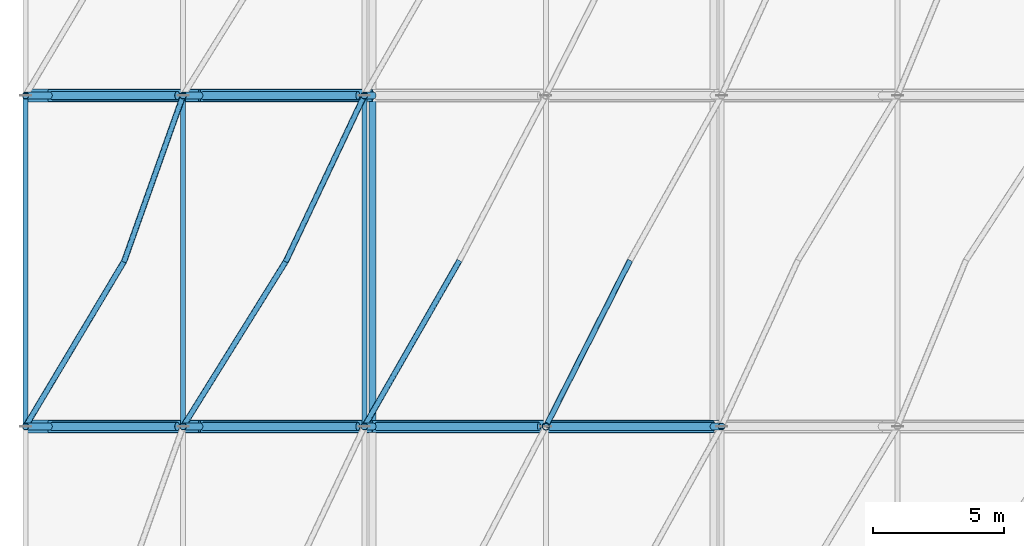
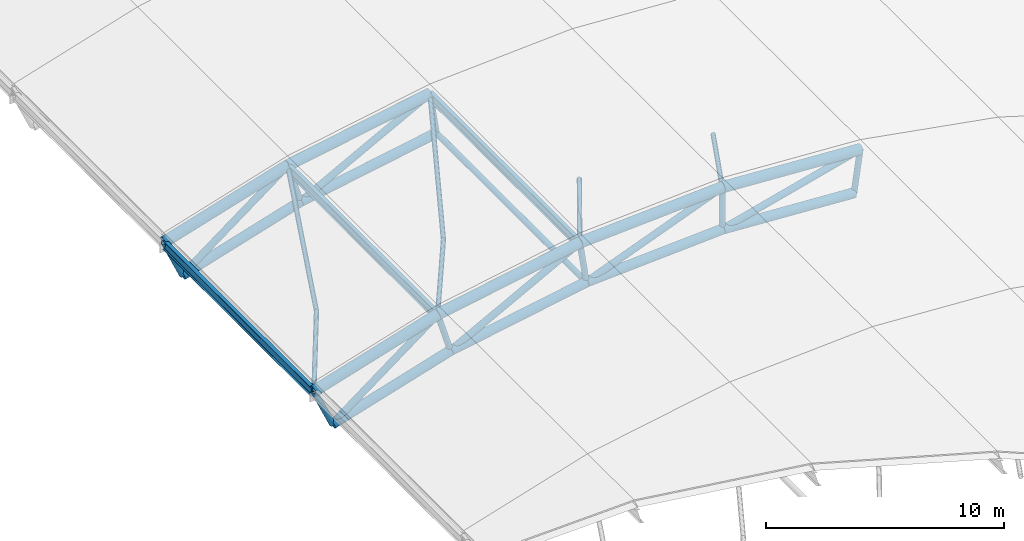
# One storey, part 7 of 18: 36 members.
"""IFC4 building model written with IfcOpenShell, lengths in metres."""

from ifc_helpers import new_model, si_unit, derived_unit, direction, frame, origin, origin_2d, place, context, subcontext, project, spatial, hollow_circle, i_section, extrude, material, material_profile, profile_set, type_object, element, save


model = new_model("IFC4")

# Units and contexts
model_context = context("Model", 3, precision=1e-05, world=origin(), true_north=direction((0.0, 1.0)))
body_context = subcontext(model_context, "Body", "Model", "MODEL_VIEW")
ifc_project = project(units=[si_unit("LENGTHUNIT", "METRE"), si_unit("AREAUNIT", "SQUARE_METRE"), si_unit("VOLUMEUNIT", "CUBIC_METRE"), si_unit("PLANEANGLEUNIT", "RADIAN"), si_unit("MASSUNIT", "GRAM", prefix="KILO"), derived_unit("THERMALTRANSMITTANCEUNIT", [(si_unit("MASSUNIT", "GRAM", prefix="KILO"), 1), (si_unit("TIMEUNIT", "SECOND"), -3), (si_unit("THERMODYNAMICTEMPERATUREUNIT", "KELVIN"), -1)])], contexts=[model_context])

# Site, building, storey
site_placement = place(None, origin())
site = spatial("IfcSite", under=ifc_project, at=site_placement, CompositionType="ELEMENT")
building_placement = place(site_placement, origin())
building = spatial("IfcBuilding", under=site, at=building_placement, Name="Valcora Ridge Arena", CompositionType="ELEMENT")
storey_placement = place(building_placement, frame((0.0, 0.0, 39.800048828125)))
storey = spatial("IfcBuildingStorey", under=building, at=storey_placement, Name="RF", CompositionType="ELEMENT", Elevation=39.800048828125)

# Members
ifc_material_1 = material(Name="Steel ASTM A572 Grade 50", Category="steel")
ifc_material_profile_1 = material_profile(ifc_material_1, i_section(OverallWidth=0.18994140625, OverallDepth=0.45703125, WebThickness=0.009033203125, FlangeThickness=0.014404296875, FilletRadius=0.014892578125, at=origin_2d()), Name="W18X50")
ifc_profile_set_1 = profile_set([ifc_material_profile_1], Name="Steel ASTM A572 Grade 50")
member_type_1 = type_object("IfcMemberType", Name="TY-MEMBER-PUR-W18X50", PredefinedType="PURLIN", material=ifc_profile_set_1)
for number, where, z_axis, x_axis, name in (
    (1, (36.0, 70.449951171875, -2.4501953125), (0.0, 1.0, 0.0), (-1.0, 0.0, 0.0), "PUR-W18X50 SF-PR-PUR-W18X50-0051"),
    (2, (42.0, 70.449951171875, -0.606689453125), (0.0, 1.0, 0.0), (-1.0, 0.0, 0.0), "PUR-W18X50 SF-PR-PUR-W18X50-0052"),
    (3, (48.89990234375, 70.449951171875, 0.662841796875), (0.0, 1.0, 0.0), (-1.0, 0.0, 0.0), "PUR-W18X50 SF-PR-PUR-W18X50-0053"),
):
    element("IfcMember", number, at=place(storey_placement, frame(where, z_axis=z_axis, x_axis=x_axis)), inside=storey, type_object=member_type_1, Name=name, PredefinedType="PURLIN", context=body_context, shape_type="SweptSolid", body=[
        extrude(i_section(OverallWidth=0.18994140625, OverallDepth=0.45703125, WebThickness=0.009033203125, FlangeThickness=0.014404296875, FilletRadius=0.014892578125, at=origin_2d()), origin(), (0.0, 0.0, 1.0), 12.5),
    ])
ifc_material_2 = material(Name="Steel ASTM A500 Grade C", Category="steel")
ifc_material_profile_2 = material_profile(ifc_material_2, hollow_circle(Radius=0.228515625, WallThickness=0.01611328125, at=origin_2d()), Name="CHS457X16")
ifc_profile_set_2 = profile_set([ifc_material_profile_2], Name="Steel ASTM A500 Grade C")
member_type_2 = type_object("IfcMemberType", Name="TY-MEMBER-SFBC-457", PredefinedType="CHORD", material=ifc_profile_set_2)
member_1_placement = place(storey_placement, frame((36.895751953125, 70.39990234375, -4.36083984375), z_axis=(0.956190411575, 0.0, 0.292745447124), x_axis=(0.0, 1.0, 0.0)))
element("IfcMember", 4, at=member_1_placement, inside=storey, type_object=member_type_2, Name="SFBC-457 Space Frame Bottom Chord", PredefinedType="CHORD", context=body_context, shape_type="SweptSolid", body=[
    extrude(hollow_circle(Radius=0.228515625, WallThickness=0.01611328125, at=origin_2d()), origin(), (0.0, 0.0, 1.0), 5.9912109375),
])
member_2_placement = place(storey_placement, frame((42.62451171875, 70.39990234375, -2.60693359375), z_axis=(0.983574646762, 0.0, 0.180501840008), x_axis=(0.0, 1.0, 0.0)))
element("IfcMember", 5, at=member_2_placement, inside=storey, type_object=member_type_2, Name="SFBC-457 Space Frame Bottom Chord", PredefinedType="CHORD", context=body_context, shape_type="SweptSolid", body=[
    extrude(hollow_circle(Radius=0.228515625, WallThickness=0.01611328125, at=origin_2d()), origin(), (0.0, 0.0, 1.0), 6.697998046875),
])
member_3_placement = place(storey_placement, frame((49.21240234375, 70.39990234375, -1.39794921875), z_axis=(0.998185892949, 0.0, 0.060207334425), x_axis=(0.0, 1.0, 0.0)))
element("IfcMember", 6, at=member_3_placement, inside=storey, type_object=member_type_2, Name="SFBC-457 Space Frame Bottom Chord", PredefinedType="CHORD", context=body_context, shape_type="SweptSolid", body=[
    extrude(hollow_circle(Radius=0.228515625, WallThickness=0.01611328125, at=origin_2d()), origin(), (0.0, 0.0, 1.0), 6.609619140625),
])
member_4_placement = place(storey_placement, frame((55.81005859375, 70.39990234375, -1.0), z_axis=(0.998298890165, 0.0, -0.058303738263), x_axis=(0.0, 1.0, 0.0)))
element("IfcMember", 7, at=member_4_placement, inside=storey, type_object=member_type_2, Name="SFBC-457 Space Frame Bottom Chord", PredefinedType="CHORD", context=body_context, shape_type="SweptSolid", body=[
    extrude(hollow_circle(Radius=0.228515625, WallThickness=0.01611328125, at=origin_2d()), origin(), (0.0, 0.0, 1.0), 6.3984375),
])
member_5_placement = place(storey_placement, frame((36.895751953125, 83.0, -4.36083984375), z_axis=(0.956190411575, 0.0, 0.292745447124), x_axis=(0.0, 1.0, 0.0)))
element("IfcMember", 8, at=member_5_placement, inside=storey, type_object=member_type_2, Name="SFBC-457 Space Frame Bottom Chord", PredefinedType="CHORD", context=body_context, shape_type="SweptSolid", body=[
    extrude(hollow_circle(Radius=0.228515625, WallThickness=0.01611328125, at=origin_2d()), origin(), (0.0, 0.0, 1.0), 5.9912109375),
])
member_6_placement = place(storey_placement, frame((42.62451171875, 83.0, -2.60693359375), z_axis=(0.983574646762, 0.0, 0.180501840008), x_axis=(0.0, 1.0, 0.0)))
element("IfcMember", 9, at=member_6_placement, inside=storey, type_object=member_type_2, Name="SFBC-457 Space Frame Bottom Chord", PredefinedType="CHORD", context=body_context, shape_type="SweptSolid", body=[
    extrude(hollow_circle(Radius=0.228515625, WallThickness=0.01611328125, at=origin_2d()), origin(), (0.0, 0.0, 1.0), 6.697998046875),
])
ifc_material_profile_3 = material_profile(ifc_material_2, hollow_circle(Radius=0.136474609375, WallThickness=0.012451171875, at=origin_2d()), Name="CHS273X12")
ifc_profile_set_3 = profile_set([ifc_material_profile_3], Name="Steel ASTM A500 Grade C")
member_type_3 = type_object("IfcMemberType", Name="TY-MEMBER-SFBT-273", PredefinedType="STRUT", material=ifc_profile_set_3)
member_7_placement = place(storey_placement, frame((49.21240234375, 70.580078125, -1.39794921875), z_axis=(0.0, 1.0, 0.0), x_axis=(-1.0, 0.0, 0.0)))
element("IfcMember", 10, at=member_7_placement, inside=storey, type_object=member_type_3, Name="SFBT-273 Space Frame Bottom Strut", PredefinedType="STRUT", context=body_context, shape_type="SweptSolid", body=[
    extrude(hollow_circle(Radius=0.136474609375, WallThickness=0.012451171875, at=origin_2d()), origin(), (0.0, 0.0, 1.0), 12.239990234375),
])
ifc_material_profile_4 = material_profile(ifc_material_2, hollow_circle(Radius=0.136474609375, WallThickness=0.012451171875, at=origin_2d()), Name="CHS273X12")
ifc_profile_set_4 = profile_set([ifc_material_profile_4], Name="Steel ASTM A500 Grade C")
member_type_4 = type_object("IfcMemberType", Name="TY-MEMBER-SFKP-273", PredefinedType="POST", material=ifc_profile_set_4)
member_8_placement = place(storey_placement, frame((36.895751953125, 70.39990234375, -4.36083984375), z_axis=(-0.41033677555, 0.0, 0.911934060462), x_axis=(0.0, -1.0, 0.0)))
element("IfcMember", 11, at=member_8_placement, inside=storey, type_object=member_type_4, Name="SFKP-273 Space Frame King Post", PredefinedType="POST", context=body_context, shape_type="SweptSolid", body=[
    extrude(hollow_circle(Radius=0.136474609375, WallThickness=0.012451171875, at=origin_2d()), origin(), (0.0, 0.0, 1.0), 2.182861328125),
])
member_9_placement = place(storey_placement, frame((42.62451171875, 70.39990234375, -2.60693359375), z_axis=(-0.28833013045, 0.0, 0.957531062616), x_axis=(0.0, -1.0, 0.0)))
element("IfcMember", 12, at=member_9_placement, inside=storey, type_object=member_type_4, Name="SFKP-273 Space Frame King Post", PredefinedType="POST", context=body_context, shape_type="SweptSolid", body=[
    extrude(hollow_circle(Radius=0.136474609375, WallThickness=0.012451171875, at=origin_2d()), origin(), (0.0, 0.0, 1.0), 2.166015625),
])
member_10_placement = place(storey_placement, frame((49.21240234375, 70.39990234375, -1.39794921875), z_axis=(-0.145069807623, 0.0, 0.989421422305), x_axis=(0.0, -1.0, 0.0)))
element("IfcMember", 13, at=member_10_placement, inside=storey, type_object=member_type_4, Name="SFKP-273 Space Frame King Post", PredefinedType="POST", context=body_context, shape_type="SweptSolid", body=[
    extrude(hollow_circle(Radius=0.136474609375, WallThickness=0.012451171875, at=origin_2d()), origin(), (0.0, 0.0, 1.0), 2.154052734375),
])
member_11_placement = place(storey_placement, frame((55.81005859375, 70.39990234375, -1.0), z_axis=(0.0, 0.0, 1.0), x_axis=(1.0, 0.0, 0.0)))
element("IfcMember", 14, at=member_11_placement, inside=storey, type_object=member_type_4, Name="SFKP-273 Space Frame King Post", PredefinedType="POST", context=body_context, shape_type="SweptSolid", body=[
    extrude(hollow_circle(Radius=0.136474609375, WallThickness=0.012451171875, at=origin_2d()), origin(), (0.0, 0.0, 1.0), 2.14990234375),
])
member_12_placement = place(storey_placement, frame((62.197509765625, 70.39990234375, -1.373046875), z_axis=(0.140453193158, 0.0, 0.99008731965), x_axis=(0.0, 1.0, 0.0)))
element("IfcMember", 15, at=member_12_placement, inside=storey, type_object=member_type_4, Name="SFKP-273 Space Frame King Post", PredefinedType="POST", context=body_context, shape_type="SweptSolid", body=[
    extrude(hollow_circle(Radius=0.136474609375, WallThickness=0.012451171875, at=origin_2d()), origin(), (0.0, 0.0, 1.0), 2.153564453125),
])
member_13_placement = place(storey_placement, frame((36.895751953125, 83.0, -4.36083984375), z_axis=(-0.41033677555, 0.0, 0.911934060462), x_axis=(0.0, -1.0, 0.0)))
element("IfcMember", 16, at=member_13_placement, inside=storey, type_object=member_type_4, Name="SFKP-273 Space Frame King Post", PredefinedType="POST", context=body_context, shape_type="SweptSolid", body=[
    extrude(hollow_circle(Radius=0.136474609375, WallThickness=0.012451171875, at=origin_2d()), origin(), (0.0, 0.0, 1.0), 2.182861328125),
])
member_14_placement = place(storey_placement, frame((42.62451171875, 83.0, -2.60693359375), z_axis=(-0.28833013045, 0.0, 0.957531062616), x_axis=(0.0, -1.0, 0.0)))
element("IfcMember", 17, at=member_14_placement, inside=storey, type_object=member_type_4, Name="SFKP-273 Space Frame King Post", PredefinedType="POST", context=body_context, shape_type="SweptSolid", body=[
    extrude(hollow_circle(Radius=0.136474609375, WallThickness=0.012451171875, at=origin_2d()), origin(), (0.0, 0.0, 1.0), 2.166015625),
])
member_15_placement = place(storey_placement, frame((49.21240234375, 83.0, -1.39794921875), z_axis=(-0.145069807623, 0.0, 0.989421422305), x_axis=(0.0, -1.0, 0.0)))
element("IfcMember", 18, at=member_15_placement, inside=storey, type_object=member_type_4, Name="SFKP-273 Space Frame King Post", PredefinedType="POST", context=body_context, shape_type="SweptSolid", body=[
    extrude(hollow_circle(Radius=0.136474609375, WallThickness=0.012451171875, at=origin_2d()), origin(), (0.0, 0.0, 1.0), 2.154052734375),
])
ifc_material_profile_5 = material_profile(ifc_material_2, hollow_circle(Radius=0.109619140625, WallThickness=0.010009765625, at=origin_2d()), Name="CHS219X10")
ifc_profile_set_5 = profile_set([ifc_material_profile_5], Name="Steel ASTM A500 Grade C")
member_type_5 = type_object("IfcMemberType", Name="TY-MEMBER-SFST-219", PredefinedType="STRUT", material=ifc_profile_set_5)
member_16_placement = place(storey_placement, frame((39.760009765625, 76.699951171875, -3.3984375), z_axis=(-0.507527109704, -0.850382252185, 0.138802946956), x_axis=(0.858694396815, -0.512487983156, 0.0)))
element("IfcMember", 19, at=member_16_placement, inside=storey, type_object=member_type_5, Name="SFST-219 Space Frame Tie Strut", PredefinedType="STRUT", context=body_context, shape_type="SweptSolid", body=[
    extrude(hollow_circle(Radius=0.109619140625, WallThickness=0.010009765625, at=origin_2d()), origin(), (0.0, 0.0, 1.0), 7.408447265625),
])
member_17_placement = place(storey_placement, frame((39.760009765625, 76.699951171875, -3.3984375), z_axis=(0.307921307202, 0.866039164288, 0.39390434688), x_axis=(-0.942215970866, 0.335006065983, 0.0)))
element("IfcMember", 20, at=member_17_placement, inside=storey, type_object=member_type_5, Name="SFST-219 Space Frame Tie Strut", PredefinedType="STRUT", context=body_context, shape_type="SweptSolid", body=[
    extrude(hollow_circle(Radius=0.109619140625, WallThickness=0.010009765625, at=origin_2d()), origin(), (0.0, 0.0, 1.0), 7.274658203125),
])
member_18_placement = place(storey_placement, frame((45.91845703125, 76.699951171875, -1.8984375), z_axis=(-0.519425044578, -0.835125437715, 0.18100587379), x_axis=(0.84915171305, -0.528149001916, 0.0)))
element("IfcMember", 21, at=member_18_placement, inside=storey, type_object=member_type_5, Name="SFST-219 Space Frame Tie Strut", PredefinedType="STRUT", context=body_context, shape_type="SweptSolid", body=[
    extrude(hollow_circle(Radius=0.109619140625, WallThickness=0.010009765625, at=origin_2d()), origin(), (0.0, 0.0, 1.0), 7.5439453125),
])
member_19_placement = place(storey_placement, frame((45.91845703125, 76.699951171875, -1.8984375), z_axis=(0.400180692741, 0.845616015082, 0.353254820484), x_axis=(-0.903892552014, 0.427759575478, 0.0)))
element("IfcMember", 22, at=member_19_placement, inside=storey, type_object=member_type_5, Name="SFST-219 Space Frame Tie Strut", PredefinedType="STRUT", context=body_context, shape_type="SweptSolid", body=[
    extrude(hollow_circle(Radius=0.109619140625, WallThickness=0.010009765625, at=origin_2d()), origin(), (0.0, 0.0, 1.0), 7.4501953125),
])
member_20_placement = place(storey_placement, frame((52.51123046875, 76.699951171875, -1.099365234375), z_axis=(-0.48219098451, -0.841193777399, 0.244713880525), x_axis=(0.867572012448, -0.497311575591, 0.0)))
element("IfcMember", 23, at=member_20_placement, inside=storey, type_object=member_type_5, Name="SFST-219 Space Frame Tie Strut", PredefinedType="STRUT", context=body_context, shape_type="SweptSolid", body=[
    extrude(hollow_circle(Radius=0.109619140625, WallThickness=0.010009765625, at=origin_2d()), origin(), (0.0, 0.0, 1.0), 7.489501953125),
])
member_21_placement = place(storey_placement, frame((59.003662109375, 76.699951171875, -1.093017578125), z_axis=(-0.430937331995, -0.850113741466, 0.302654328341), x_axis=(0.891945642305, -0.452142644719, 0.0)))
element("IfcMember", 24, at=member_21_placement, inside=storey, type_object=member_type_5, Name="SFST-219 Space Frame Tie Strut", PredefinedType="STRUT", context=body_context, shape_type="SweptSolid", body=[
    extrude(hollow_circle(Radius=0.109619140625, WallThickness=0.010009765625, at=origin_2d()), origin(), (0.0, 0.0, 1.0), 7.410888671875),
])
ifc_material_profile_6 = material_profile(ifc_material_2, hollow_circle(Radius=0.25390625, WallThickness=0.01611328125, at=origin_2d()), Name="CHS508X16")
ifc_profile_set_6 = profile_set([ifc_material_profile_6], Name="Steel ASTM A500 Grade C")
member_type_6 = type_object("IfcMemberType", Name="TY-MEMBER-SFTC-508", PredefinedType="CHORD", material=ifc_profile_set_6)
member_22_placement = place(storey_placement, frame((36.0, 70.39990234375, -2.3701171875), z_axis=(0.956181062975, 0.0, 0.292775980586), x_axis=(0.0, 1.0, 0.0)))
element("IfcMember", 25, at=member_22_placement, inside=storey, type_object=member_type_6, Name="SFTC-508 Space Frame Top Chord", PredefinedType="CHORD", context=body_context, shape_type="SweptSolid", body=[
    extrude(hollow_circle(Radius=0.25390625, WallThickness=0.01611328125, at=origin_2d()), origin(), (0.0, 0.0, 1.0), 6.27490234375),
])
member_23_placement = place(storey_placement, frame((42.0, 70.39990234375, -0.532958984375), z_axis=(0.983571765231, 0.0, 0.180517541089), x_axis=(0.0, 1.0, 0.0)))
element("IfcMember", 26, at=member_23_placement, inside=storey, type_object=member_type_6, Name="SFTC-508 Space Frame Top Chord", PredefinedType="CHORD", context=body_context, shape_type="SweptSolid", body=[
    extrude(hollow_circle(Radius=0.25390625, WallThickness=0.01611328125, at=origin_2d()), origin(), (0.0, 0.0, 1.0), 7.01513671875),
])
member_24_placement = place(storey_placement, frame((48.89990234375, 70.39990234375, 0.7333984375), z_axis=(0.998188446948, 0.0, 0.060164976346), x_axis=(0.0, 1.0, 0.0)))
element("IfcMember", 27, at=member_24_placement, inside=storey, type_object=member_type_6, Name="SFTC-508 Space Frame Top Chord", PredefinedType="CHORD", context=body_context, shape_type="SweptSolid", body=[
    extrude(hollow_circle(Radius=0.25390625, WallThickness=0.01611328125, at=origin_2d()), origin(), (0.0, 0.0, 1.0), 6.922607421875),
])
member_25_placement = place(storey_placement, frame((55.81005859375, 70.39990234375, 1.14990234375), z_axis=(0.998299656479, 0.0, -0.058290615662), x_axis=(0.0, 1.0, 0.0)))
element("IfcMember", 28, at=member_25_placement, inside=storey, type_object=member_type_6, Name="SFTC-508 Space Frame Top Chord", PredefinedType="CHORD", context=body_context, shape_type="SweptSolid", body=[
    extrude(hollow_circle(Radius=0.25390625, WallThickness=0.01611328125, at=origin_2d()), origin(), (0.0, 0.0, 1.0), 6.701416015625),
])
member_26_placement = place(storey_placement, frame((36.0, 83.0, -2.3701171875), z_axis=(0.956181062975, 0.0, 0.292775980586), x_axis=(0.0, 1.0, 0.0)))
element("IfcMember", 29, at=member_26_placement, inside=storey, type_object=member_type_6, Name="SFTC-508 Space Frame Top Chord", PredefinedType="CHORD", context=body_context, shape_type="SweptSolid", body=[
    extrude(hollow_circle(Radius=0.25390625, WallThickness=0.01611328125, at=origin_2d()), origin(), (0.0, 0.0, 1.0), 6.27490234375),
])
member_27_placement = place(storey_placement, frame((42.0, 83.0, -0.532958984375), z_axis=(0.983571765231, 0.0, 0.180517541089), x_axis=(0.0, 1.0, 0.0)))
element("IfcMember", 30, at=member_27_placement, inside=storey, type_object=member_type_6, Name="SFTC-508 Space Frame Top Chord", PredefinedType="CHORD", context=body_context, shape_type="SweptSolid", body=[
    extrude(hollow_circle(Radius=0.25390625, WallThickness=0.01611328125, at=origin_2d()), origin(), (0.0, 0.0, 1.0), 7.01513671875),
])
ifc_material_profile_7 = material_profile(ifc_material_2, hollow_circle(Radius=0.161865234375, WallThickness=0.012451171875, at=origin_2d()), Name="CHS323X12")
ifc_profile_set_7 = profile_set([ifc_material_profile_7], Name="Steel ASTM A500 Grade C")
member_type_7 = type_object("IfcMemberType", Name="TY-MEMBER-SFWB-323", PredefinedType="BRACE", material=ifc_profile_set_7)
member_28_placement = place(storey_placement, frame((37.023681640625, 70.39990234375, -4.264892578125), z_axis=(0.800014795818, 0.0, 0.599980271736), x_axis=(0.0, 1.0, 0.0)))
element("IfcMember", 31, at=member_28_placement, inside=storey, type_object=member_type_7, Name="SFWB-323 Space Frame Diagonal Brace", PredefinedType="BRACE", context=body_context, shape_type="SweptSolid", body=[
    extrude(hollow_circle(Radius=0.161865234375, WallThickness=0.012451171875, at=origin_2d()), origin(), (0.0, 0.0, 1.0), 5.940185546875),
])
member_29_placement = place(storey_placement, frame((42.765625, 70.39990234375, -2.53173828125), z_axis=(0.882744799962, 0.0, 0.469852762193), x_axis=(0.0, 1.0, 0.0)))
element("IfcMember", 32, at=member_29_placement, inside=storey, type_object=member_type_7, Name="SFWB-323 Space Frame Diagonal Brace", PredefinedType="BRACE", context=body_context, shape_type="SweptSolid", body=[
    extrude(hollow_circle(Radius=0.161865234375, WallThickness=0.012451171875, at=origin_2d()), origin(), (0.0, 0.0, 1.0), 6.669189453125),
])
member_30_placement = place(storey_placement, frame((49.36181640625, 70.39990234375, -1.34033203125), z_axis=(0.932850436779, 0.0, 0.360263879124), x_axis=(0.0, 1.0, 0.0)))
element("IfcMember", 33, at=member_30_placement, inside=storey, type_object=member_type_7, Name="SFWB-323 Space Frame Diagonal Brace", PredefinedType="BRACE", context=body_context, shape_type="SweptSolid", body=[
    extrude(hollow_circle(Radius=0.161865234375, WallThickness=0.012451171875, at=origin_2d()), origin(), (0.0, 0.0, 1.0), 6.63232421875),
])
member_31_placement = place(storey_placement, frame((55.964599609375, 70.39990234375, -0.959228515625), z_axis=(0.967117485825, 0.0, 0.254330038751), x_axis=(0.0, 1.0, 0.0)))
element("IfcMember", 34, at=member_31_placement, inside=storey, type_object=member_type_7, Name="SFWB-323 Space Frame Diagonal Brace", PredefinedType="BRACE", context=body_context, shape_type="SweptSolid", body=[
    extrude(hollow_circle(Radius=0.161865234375, WallThickness=0.012451171875, at=origin_2d()), origin(), (0.0, 0.0, 1.0), 6.4775390625),
])
member_32_placement = place(storey_placement, frame((37.023681640625, 83.0, -4.264892578125), z_axis=(0.800014795818, 0.0, 0.599980271736), x_axis=(0.0, 1.0, 0.0)))
element("IfcMember", 35, at=member_32_placement, inside=storey, type_object=member_type_7, Name="SFWB-323 Space Frame Diagonal Brace", PredefinedType="BRACE", context=body_context, shape_type="SweptSolid", body=[
    extrude(hollow_circle(Radius=0.161865234375, WallThickness=0.012451171875, at=origin_2d()), origin(), (0.0, 0.0, 1.0), 5.940185546875),
])
member_33_placement = place(storey_placement, frame((42.765625, 83.0, -2.53173828125), z_axis=(0.882744799962, 0.0, 0.469852762193), x_axis=(0.0, 1.0, 0.0)))
element("IfcMember", 36, at=member_33_placement, inside=storey, type_object=member_type_7, Name="SFWB-323 Space Frame Diagonal Brace", PredefinedType="BRACE", context=body_context, shape_type="SweptSolid", body=[
    extrude(hollow_circle(Radius=0.161865234375, WallThickness=0.012451171875, at=origin_2d()), origin(), (0.0, 0.0, 1.0), 6.669189453125),
])

save(model, "model.ifc")
